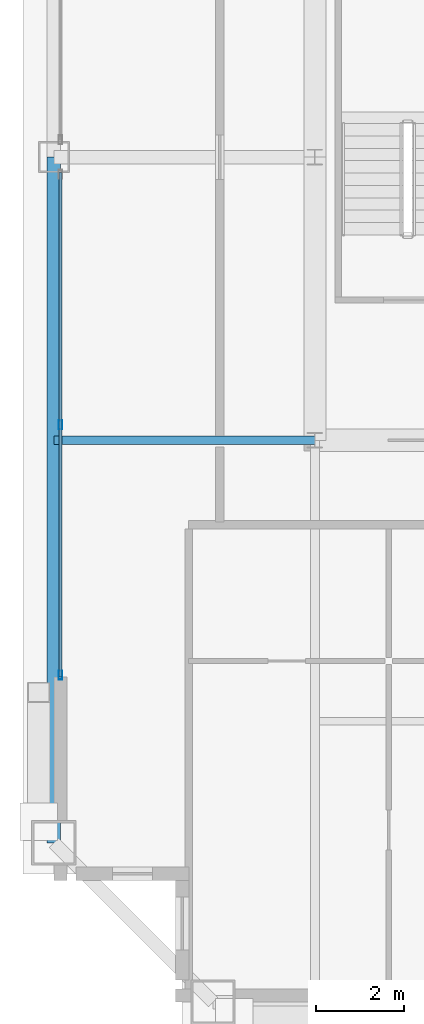
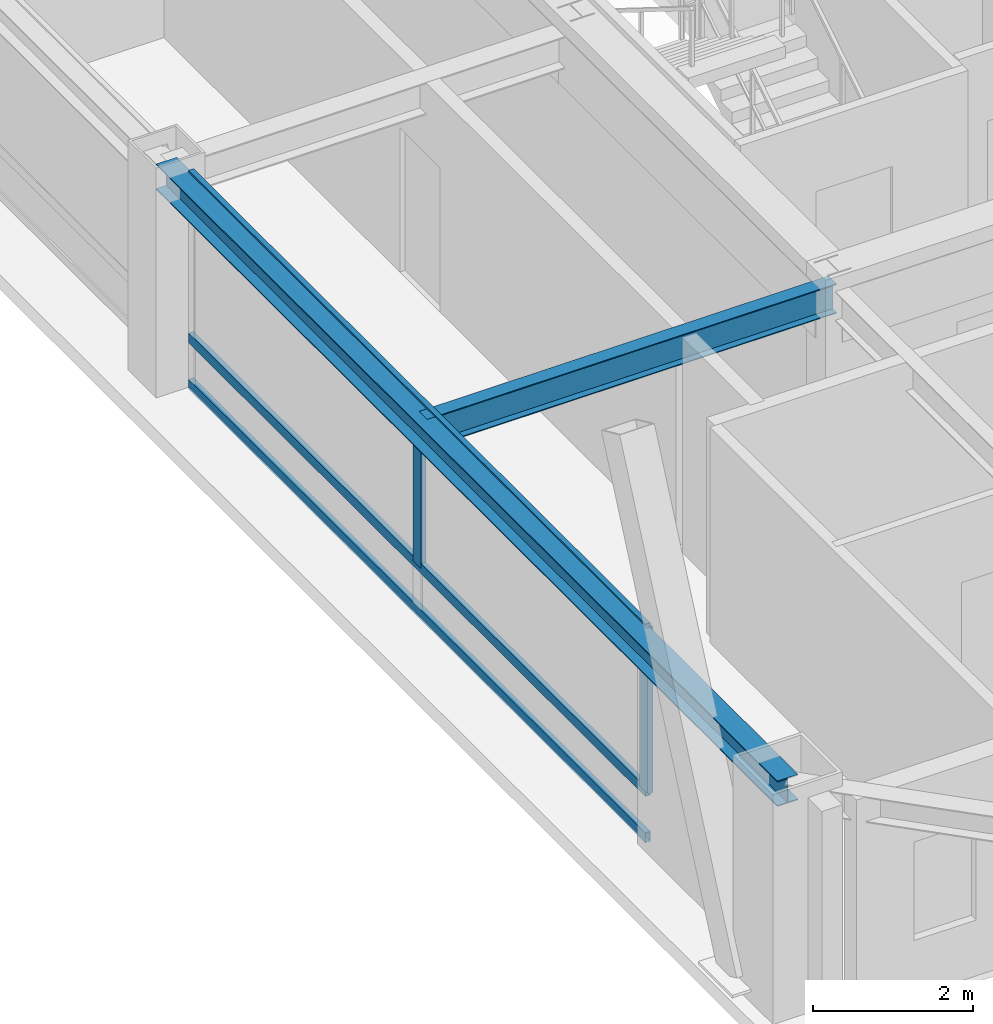
# One storey, part 6 of 35: 5 members, 2 beams, 1 element without a shape of its own.
"""IFC4 building model written with IfcOpenShell, lengths in metres."""

import ifcopenshell
import ifcopenshell.guid

model = None  # the IFC model being written
_history = None  # IfcOwnerHistory: only IFC2X3 demands one
_inside = {}  # id of a spatial element -> (the spatial element, [elements in it])
_under = {}  # id of a project, library or spatial element -> (it, [spatial elements below it])
_declared = {}  # id of a project -> (the project, [libraries it declares])
_typed = {}  # id of a type object -> (the type object, [elements of that type])
_made_of = {}  # id of a material, layer set ... -> (it, [elements and type objects made of it])


def new_model(schema):
    """Start an empty IFC model of exactly this schema.

    Asked for "IFC4X3", IfcOpenShell would pick the latest addendum, in which some entities
    have other attributes; the version numbers below select the first issue.
    IFC2X3 requires an IfcOwnerHistory on every rooted entity: one is made here for all.
    """
    global model, _history
    if schema == "IFC4X3":
        model = ifcopenshell.file(schema_version=(4, 3, 0, 0))
    else:
        model = ifcopenshell.file(schema=schema)
    _inside.clear()
    _under.clear()
    _declared.clear()
    _typed.clear()
    _made_of.clear()
    _history = None
    if model.schema == "IFC2X3":
        org = make("IfcOrganization", Name="unknown")
        user = make(
            "IfcPersonAndOrganization",
            ThePerson=make("IfcPerson", FamilyName="unknown"),
            TheOrganization=org,
        )
        app = make(
            "IfcApplication",
            ApplicationDeveloper=org,
            Version="unknown",
            ApplicationFullName="unknown",
            ApplicationIdentifier="unknown",
        )
        _history = make(
            "IfcOwnerHistory",
            OwningUser=user,
            OwningApplication=app,
            ChangeAction="ADDED",
            CreationDate=0,
        )
    return model


def make(cls, **values):
    """One entity of the class cls with the attributes given. An attribute that is None is left unset."""
    return model.create_entity(
        cls, **{name: value for name, value in values.items() if value is not None}
    )


def rooted(cls, **values):
    """An entity with a GlobalId (a new one), such as an element, a storey or a relation."""
    return make(cls, GlobalId=ifcopenshell.guid.new(), OwnerHistory=_history, **values)


def si_unit(unit_type, name, prefix=None):
    """IfcSIUnit, for example si_unit("LENGTHUNIT", "METRE", prefix="MILLI")."""
    return make("IfcSIUnit", UnitType=unit_type, Prefix=prefix, Name=name)


def assignment(units):
    """IfcUnitAssignment: the units of a project."""
    return None if units is None else make("IfcUnitAssignment", Units=units)


def point(xyz):
    """IfcCartesianPoint."""
    return None if xyz is None else make("IfcCartesianPoint", Coordinates=xyz)


def direction(xyz):
    """IfcDirection."""
    return None if xyz is None else make("IfcDirection", DirectionRatios=xyz)


def frame(location, z_axis=None, x_axis=None):
    """IfcAxis2Placement3D, a coordinate frame: its origin and axes. An axis left out is left unset."""
    return make(
        "IfcAxis2Placement3D",
        Location=point(location),
        Axis=direction(z_axis),
        RefDirection=direction(x_axis),
    )


def frame_2d(location, x_axis=None):
    """IfcAxis2Placement2D, a coordinate frame in the plane: its origin and x axis."""
    return make(
        "IfcAxis2Placement2D", Location=point(location), RefDirection=direction(x_axis)
    )


def origin():
    """The frame at (0, 0, 0) with its axes left unset."""
    return frame((0.0, 0.0, 0.0))


def origin_2d():
    """The frame at (0, 0) in the plane with its x axis left unset."""
    return frame_2d((0.0, 0.0))


def place(relative_to, where):
    """IfcLocalPlacement: puts the frame where relative to a parent placement (None: the world)."""
    return make(
        "IfcLocalPlacement", PlacementRelTo=relative_to, RelativePlacement=where
    )


def context(
    kind, dimensions, precision=None, world=None, true_north=None, identifier=None
):
    """IfcGeometricRepresentationContext, for example the 3D "Model" context."""
    return make(
        "IfcGeometricRepresentationContext",
        ContextIdentifier=identifier,
        ContextType=kind,
        CoordinateSpaceDimension=dimensions,
        Precision=precision,
        WorldCoordinateSystem=world,
        TrueNorth=true_north,
    )


def subcontext(parent, identifier, kind, view, scale=None):
    """IfcGeometricRepresentationSubContext, for example "Body" below "Model"."""
    return make(
        "IfcGeometricRepresentationSubContext",
        ContextIdentifier=identifier,
        ContextType=kind,
        ParentContext=parent,
        TargetScale=scale,
        TargetView=view,
    )


def project(units=None, contexts=None):
    """IfcProject with its units and contexts."""
    return rooted(
        "IfcProject",
        Name="project",
        RepresentationContexts=contexts,
        UnitsInContext=assignment(units),
    )


def spatial(cls, under=None, at=None, **own):
    """A site, building, storey or space (cls), placed at a placement, below another one or the project."""
    s = rooted(cls, ObjectPlacement=at, **own)
    if under is not None:
        _under.setdefault(under.id(), (under, []))[1].append(s)
    return s


def profile(cls, at=None, kind="AREA", **sizes):
    """A parametric profile (cls). Its sizes go by their IFC names, for example OverallWidth=200.0."""
    return make(cls, ProfileType=kind, Position=at, **sizes)


def hollow_rectangle(**sizes):
    """IfcRectangleHollowProfileDef."""
    return profile("IfcRectangleHollowProfileDef", **sizes)


def i_section(**sizes):
    """IfcIShapeProfileDef."""
    return profile("IfcIShapeProfileDef", **sizes)


def extrude(swept, where, along, depth):
    """IfcExtrudedAreaSolid: the profile swept, set in the frame where, extruded along a direction by depth."""
    return make(
        "IfcExtrudedAreaSolid",
        SweptArea=swept,
        Position=where,
        ExtrudedDirection=direction(along),
        Depth=depth,
    )


def shape(context_of_items, identifier, shape_type, items):
    """IfcShapeRepresentation: the items that make up one representation, for example the "Body"."""
    return make(
        "IfcShapeRepresentation",
        ContextOfItems=context_of_items,
        RepresentationIdentifier=identifier,
        RepresentationType=shape_type,
        Items=items,
    )


def source(mapping_origin, context_of_items, identifier, shape_type, items):
    """IfcRepresentationMap: a shape defined once, which mapped items show again and again."""
    return make(
        "IfcRepresentationMap",
        MappingOrigin=mapping_origin,
        MappedRepresentation=shape(context_of_items, identifier, shape_type, items),
    )


def transform(
    local_origin,
    x_axis=None,
    y_axis=None,
    z_axis=None,
    scale=None,
    scale2=None,
    scale3=None,
    uniform=True,
):
    """IfcCartesianTransformationOperator3D, or its non-uniform kind. x_axis, y_axis, z_axis: its Axis1, 2, 3."""
    if uniform:
        return make(
            "IfcCartesianTransformationOperator3D",
            Axis1=direction(x_axis),
            Axis2=direction(y_axis),
            LocalOrigin=point(local_origin),
            Scale=scale,
            Axis3=direction(z_axis),
        )
    return make(
        "IfcCartesianTransformationOperator3DnonUniform",
        Axis1=direction(x_axis),
        Axis2=direction(y_axis),
        LocalOrigin=point(local_origin),
        Scale=scale,
        Axis3=direction(z_axis),
        Scale2=scale2,
        Scale3=scale3,
    )


def mapped(mapping_source, mapping_target):
    """IfcMappedItem: shows the shape of a source again, moved by a transform."""
    return make(
        "IfcMappedItem", MappingSource=mapping_source, MappingTarget=mapping_target
    )


def material(Name=None, Category=None):
    """IfcMaterial."""
    return make("IfcMaterial", Name=Name, Category=Category)


def layer(
    of_material, thickness, ventilated=None, Name=None, Category=None, Priority=None
):
    """IfcMaterialLayer: one layer of a wall or slab, of a material (None: an air gap)."""
    return make(
        "IfcMaterialLayer",
        Material=of_material,
        LayerThickness=thickness,
        IsVentilated=ventilated,
        Name=Name,
        Category=Category,
        Priority=Priority,
    )


def layer_set(layers, Name=None):
    """IfcMaterialLayerSet."""
    return make("IfcMaterialLayerSet", MaterialLayers=layers, LayerSetName=Name)


def material_profile(
    of_material, cross_section, Name=None, Category=None, Priority=None
):
    """IfcMaterialProfile: a cross section and its material."""
    return make(
        "IfcMaterialProfile",
        Name=Name,
        Material=of_material,
        Profile=cross_section,
        Priority=Priority,
        Category=Category,
    )


def profile_set(profiles, Name=None, composite=None):
    """IfcMaterialProfileSet."""
    return make(
        "IfcMaterialProfileSet",
        Name=Name,
        MaterialProfiles=profiles,
        CompositeProfile=composite,
    )


def made_of(thing, what):
    """Note that an element or type object is made of a material, layer set ...; save() writes the relation."""
    if what is not None:
        _made_of.setdefault(what.id(), (what, []))[1].append(thing)
    return thing


def type_object(cls, material=None, **own):
    """A type object (cls), such as IfcWallType, which elements share."""
    return made_of(rooted(cls, **own), material)


def element(
    cls,
    number,
    at=None,
    inside=None,
    cuts=None,
    type_object=None,
    material=None,
    context=None,
    identifier="Body",
    shape_type=None,
    held_by="IfcProductDefinitionShape",
    body=None,
    shapes=None,
    **own,
):
    """One element of the class cls, such as IfcWall. Its Tag is "e" and its number.

    at: its placement. inside: the storey or other place that contains it. cuts: it is an
    opening in that element (IfcRelVoidsElement). A single representation is given by context,
    identifier, shape_type and body (its items); several are given by shapes. held_by: the class
    of the entity that holds the representations. save() writes the other relations.
    """
    e = rooted(cls, Tag="e%d" % number, ObjectPlacement=at, **own)
    if body is not None:
        shapes = [shape(context, identifier, shape_type, body)]
    if shapes is not None:
        e.Representation = make(held_by, Representations=shapes)
    if inside is not None:
        _inside.setdefault(inside.id(), (inside, []))[1].append(e)
    if cuts is not None:
        rooted(
            "IfcRelVoidsElement", RelatingBuildingElement=cuts, RelatedOpeningElement=e
        )
    if type_object is not None:
        _typed.setdefault(type_object.id(), (type_object, []))[1].append(e)
    return made_of(e, material)


def aggregate(whole, parts):
    """IfcRelAggregates: a whole, such as a stair, and the parts it consists of."""
    return rooted("IfcRelAggregates", RelatingObject=whole, RelatedObjects=parts)


def save(model, path):
    """Write the relations noted so far, then the file.

    IfcRelAggregates (storeys below a building ...), IfcRelContainedInSpatialStructure (elements
    in a storey), IfcRelDefinesByType, IfcRelAssociatesMaterial and IfcRelDeclares: one each for
    every whole, place, type object, material and project.
    """
    for whole, parts in _under.values():
        aggregate(whole, parts)
    for where, things in _inside.values():
        rooted(
            "IfcRelContainedInSpatialStructure",
            RelatedElements=things,
            RelatingStructure=where,
        )
    for kind, things in _typed.values():
        rooted("IfcRelDefinesByType", RelatedObjects=things, RelatingType=kind)
    for what, things in _made_of.values():
        rooted("IfcRelAssociatesMaterial", RelatedObjects=things, RelatingMaterial=what)
    for by, libraries in _declared.values():
        rooted("IfcRelDeclares", RelatingContext=by, RelatedDefinitions=libraries)
    model.write(path)


model = new_model("IFC4")

# Units and contexts
model_context = context("Model", 3, precision=1e-05, world=origin(), true_north=direction((0.0, 1.0)))
body_context = subcontext(model_context, "Body", "Model", "MODEL_VIEW")
ifc_project = project(units=[si_unit("LENGTHUNIT", "METRE"), si_unit("AREAUNIT", "SQUARE_METRE"), si_unit("VOLUMEUNIT", "CUBIC_METRE"), si_unit("PLANEANGLEUNIT", "RADIAN"), si_unit("MASSUNIT", "GRAM", prefix="KILO"), si_unit("THERMODYNAMICTEMPERATUREUNIT", "KELVIN"), si_unit("POWERUNIT", "WATT")], contexts=[model_context])

# Site, building, storey
site_placement = place(None, origin())
site = spatial("IfcSite", under=ifc_project, at=site_placement, CompositionType="ELEMENT")
building_placement = place(site_placement, origin())
building = spatial("IfcBuilding", under=site, at=building_placement, Name="Yuzanri Waterfront Tower", CompositionType="ELEMENT")
storey_placement = place(building_placement, frame((0.0, 0.0, 299.60009765625)))
storey = spatial("IfcBuildingStorey", under=building, at=storey_placement, Name="L80", CompositionType="ELEMENT", Elevation=299.60009765625)

# Beams
ifc_material_1 = material(Name="Steel Q355B", Category="steel")
ifc_material_profile_1 = material_profile(ifc_material_1, i_section(OverallWidth=0.300048828125, OverallDepth=0.389892578125, WebThickness=0.010009765625, FlangeThickness=0.01611328125, at=origin_2d()), Name="HM 390x300x10x16")
ifc_profile_set_1 = profile_set([ifc_material_profile_1], Name="Steel Q355B")
beam_type_1 = type_object("IfcBeamType", Name="Perimeter Spandrel Q355B HM 390x300", PredefinedType="SPANDREL", material=ifc_profile_set_1)
shared_shape_1 = source(origin(), body_context, "Body", "SweptSolid", [
    extrude(i_section(OverallWidth=0.300048828125, OverallDepth=0.389892578125, WebThickness=0.010009765625, FlangeThickness=0.01611328125, at=origin_2d()), origin(), (0.0, 0.0, 1.0), 15.5),
])
beam_1_placement = place(storey_placement, frame((17.89990234375, 25.800048828125, 3.0849609375), z_axis=(0.0, -1.0, 0.0), x_axis=(1.0, 0.0, 0.0)))
element("IfcBeam", 1, at=beam_1_placement, inside=storey, type_object=beam_type_1, Name="L80 Perimeter Spandrel W2-W1", PredefinedType="SPANDREL", context=body_context, shape_type="MappedRepresentation", body=[
    mapped(shared_shape_1, transform((0.0, 0.0, 0.0), scale=1.0)),
])
ifc_material_2 = material(Name="Steel Q355B", Category="steel")
ifc_material_profile_2 = material_profile(ifc_material_2, i_section(OverallWidth=0.199951171875, OverallDepth=0.449951171875, WebThickness=0.009033203125, FlangeThickness=0.013916015625, at=origin_2d()), Name="HN 450x200x9x14")
ifc_profile_set_2 = profile_set([ifc_material_profile_2], Name="Steel Q355B")
beam_type_2 = type_object("IfcBeamType", Name="Secondary Floor Beam Q355B HN 450x200", PredefinedType="BEAM", material=ifc_profile_set_2)
shared_shape_2 = source(origin(), body_context, "Body", "SweptSolid", [
    extrude(i_section(OverallWidth=0.199951171875, OverallDepth=0.449951171875, WebThickness=0.009033203125, FlangeThickness=0.013916015625, at=origin_2d()), origin(), (0.0, 0.0, 1.0), 5.900146484375),
])
beam_2_placement = place(storey_placement, frame((23.800048828125, 19.39990234375, 3.054931640625), z_axis=(-1.0, 0.0, 0.0), x_axis=(0.0, -1.0, 0.0)))
element("IfcBeam", 2, at=beam_2_placement, inside=storey, type_object=beam_type_2, Name="L80 West-South Core Line Beam", PredefinedType="BEAM", context=body_context, shape_type="MappedRepresentation", body=[
    mapped(shared_shape_2, transform((0.0, 0.0, 0.0), scale=1.0)),
])

# Curtain wall, members
ifc_material_3 = material(Name="Anodized Architectural Bronze", Category="metal")
ifc_layer = layer(ifc_material_3, 0.159912109375)
ifc_layer_set = layer_set([ifc_layer], Name="Anodized Architectural Bronze")
curtain_wall_type = type_object("IfcCurtainWallType", Name="Anodized Bronze High-Rise Penthouse High-Wind Unitized Curtain Wall 6900", PredefinedType="NOTDEFINED", material=ifc_layer_set)
curtain_wall_placement = place(storey_placement, origin())
curtain_wall = element("IfcCurtainWall", 3, at=curtain_wall_placement, inside=storey, type_object=curtain_wall_type, Name="L80 Curtain Wall CW-L80-WL", PredefinedType="NOTDEFINED")
ifc_material_4 = material(Name="Anodized Architectural Bronze", Category="metal")
ifc_material_profile_3 = material_profile(ifc_material_4, hollow_rectangle(XDim=0.074951171875, YDim=0.199951171875, WallThickness=0.00390625, at=origin_2d()), Name="CWM 75x200")
ifc_profile_set_3 = profile_set([ifc_material_profile_3], Name="Anodized Architectural Bronze")
member_type_1 = type_object("IfcMemberType", Name="Anodized Bronze Primary Curtain-Wall Mullion 75x200", PredefinedType="MULLION", material=ifc_profile_set_3)
shared_shape_3 = source(origin(), body_context, "Body", "SweptSolid", [
    extrude(hollow_rectangle(XDim=0.074951171875, YDim=0.199951171875, WallThickness=0.00390625, at=origin_2d()), origin(), (0.0, 0.0, 1.0), 2.52392578125),
])
member_1_placement = place(storey_placement, frame((18.050048828125, 14.090087890625, 0.755859375), z_axis=(0.0, 0.0, 1.0), x_axis=(1.0, 0.0, 0.0)))
member_1 = element("IfcMember", 4, at=member_1_placement, type_object=member_type_1, Name="CW-L80-WL Upper Mullion 00", PredefinedType="MULLION", context=body_context, shape_type="MappedRepresentation", body=[
    mapped(shared_shape_3, transform((0.0, 0.0, 0.0), scale=1.0)),
])
member_2_placement = place(storey_placement, frame((18.050048828125, 19.75, 0.755859375), z_axis=(0.0, 0.0, 1.0), x_axis=(1.0, 0.0, 0.0)))
member_2 = element("IfcMember", 5, at=member_2_placement, type_object=member_type_1, Name="CW-L80-WL Upper Mullion 01", PredefinedType="MULLION", context=body_context, shape_type="MappedRepresentation", body=[
    mapped(shared_shape_3, transform((0.0, 0.0, 0.0), scale=1.0)),
])
ifc_material_5 = material(Name="Anodized Architectural Bronze", Category="metal")
ifc_material_profile_4 = material_profile(ifc_material_5, hollow_rectangle(XDim=0.074951171875, YDim=0.14990234375, WallThickness=0.00390625, at=origin_2d()), Name="CWT 75x150")
ifc_profile_set_4 = profile_set([ifc_material_profile_4], Name="Anodized Architectural Bronze")
member_type_2 = type_object("IfcMemberType", Name="Anodized Bronze Primary Curtain-Wall Transom 75x150", PredefinedType="USERDEFINED", material=ifc_profile_set_4)
shared_shape_4 = source(origin(), body_context, "Body", "SweptSolid", [
    extrude(hollow_rectangle(XDim=0.074951171875, YDim=0.14990234375, WallThickness=0.00390625, at=origin_2d()), origin(), (0.0, 0.0, 1.0), 11.39990234375),
])
member_3_placement = place(storey_placement, frame((18.050048828125, 14.050048828125, 0.0498046875), z_axis=(0.0, 1.0, 0.0), x_axis=(-1.0, 0.0, 0.0)))
member_3 = element("IfcMember", 6, at=member_3_placement, type_object=member_type_2, Name="CW-L80-WL Transom 1", ObjectType="TRANSOM", PredefinedType="USERDEFINED", context=body_context, shape_type="MappedRepresentation", body=[
    mapped(shared_shape_4, transform((0.0, 0.0, 0.0), scale=1.0)),
])
member_4_placement = place(storey_placement, frame((18.050048828125, 14.050048828125, 0.75390625), z_axis=(0.0, 1.0, 0.0), x_axis=(-1.0, 0.0, 0.0)))
member_4 = element("IfcMember", 7, at=member_4_placement, type_object=member_type_2, Name="CW-L80-WL Transom 2", ObjectType="TRANSOM", PredefinedType="USERDEFINED", context=body_context, shape_type="MappedRepresentation", body=[
    mapped(shared_shape_4, transform((0.0, 0.0, 0.0), scale=1.0)),
])
member_5_placement = place(storey_placement, frame((18.050048828125, 14.050048828125, 3.22998046875), z_axis=(0.0, 1.0, 0.0), x_axis=(-1.0, 0.0, 0.0)))
member_5 = element("IfcMember", 8, at=member_5_placement, type_object=member_type_2, Name="CW-L80-WL Transom 3", ObjectType="TRANSOM", PredefinedType="USERDEFINED", context=body_context, shape_type="MappedRepresentation", body=[
    mapped(shared_shape_4, transform((0.0, 0.0, 0.0), scale=1.0)),
])
aggregate(curtain_wall, [member_1, member_2, member_3, member_4, member_5])

save(model, "model.ifc")
